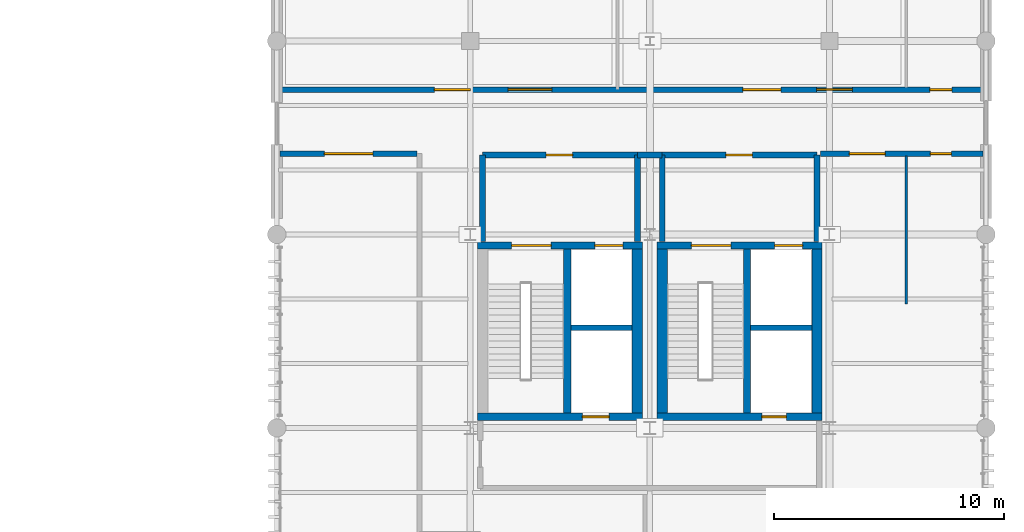
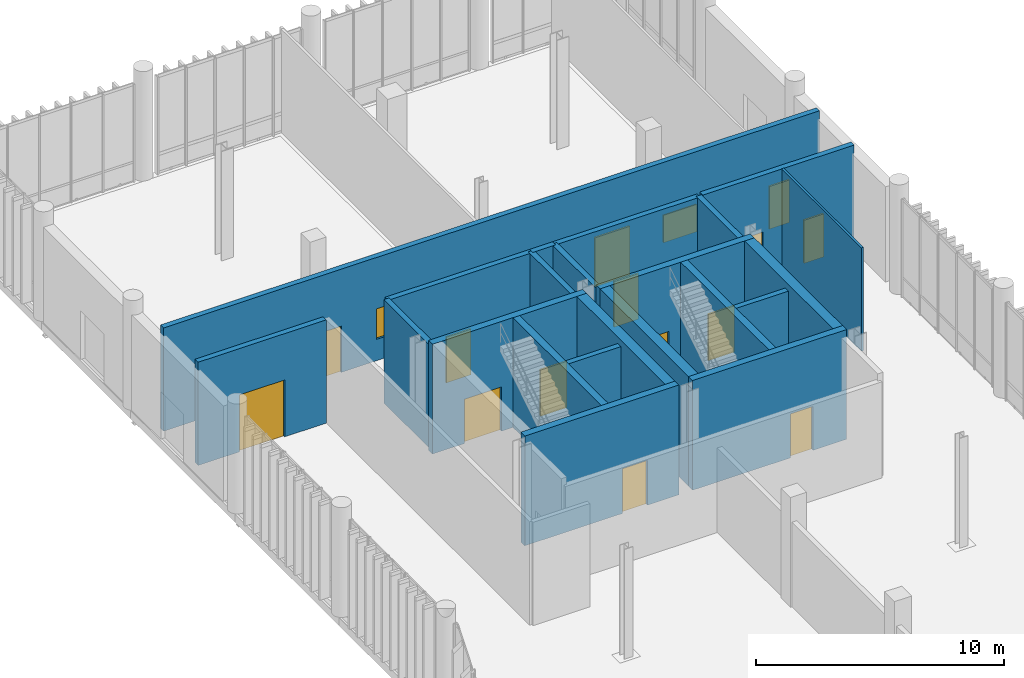
# One storey, part 94 of 112: 22 walls, 14 doors, 2 windows, 16 openings.
"""IFC4 building model written with IfcOpenShell, lengths in metres."""

from ifc_helpers import new_model, si_unit, direction, frame, frame_2d, origin_with_axes, place, context, subcontext, project, spatial, rectangle, extrude, material, layer, layer_set, type_object, element, fill, save


model = new_model("IFC4")

# Units and contexts
model_context = context("Model", 3, precision=1e-05, world=origin_with_axes(), true_north=direction((0.0, 1.0)))
body_context = subcontext(model_context, "Body", "Model", "MODEL_VIEW")
ifc_project = project(units=[si_unit("LENGTHUNIT", "METRE"), si_unit("AREAUNIT", "SQUARE_METRE"), si_unit("VOLUMEUNIT", "CUBIC_METRE"), si_unit("PLANEANGLEUNIT", "RADIAN"), si_unit("MASSUNIT", "GRAM", prefix="KILO"), si_unit("THERMODYNAMICTEMPERATUREUNIT", "KELVIN")], contexts=[model_context])

# Site, building, storey
site_placement = place(None, origin_with_axes())
site = spatial("IfcSite", under=ifc_project, at=site_placement, CompositionType="ELEMENT")
building_placement = place(site_placement, origin_with_axes())
building = spatial("IfcBuilding", under=site, at=building_placement, Name="Montbau Bow Law Courts", CompositionType="ELEMENT")
storey_placement = place(building_placement, origin_with_axes())
storey = spatial("IfcBuildingStorey", under=building, at=storey_placement, Name="L00", CompositionType="ELEMENT", Elevation=0.0)

# Walls
ifc_material_1 = material(Name="Concrete CSA A23.1 f'c 45 MPa", Category="concrete")
ifc_layer_1 = layer(ifc_material_1, 0.45, Name="Shear Wall", Category="concrete")
ifc_layer_set_1 = layer_set([ifc_layer_1], Name="Concrete CSA A23.1 f'c 45 MPa")
wall_type_1 = type_object("IfcWallType", Name="W-COR-02", PredefinedType="SHEAR", material=ifc_layer_set_1)
for number, where, z_axis, x_axis, name in (
    (1, (154.26, 87.04, 0.0), (0.0, 0.0, 1.0), (0.0, 1.0, 0.0), "WC-L00-0273:wal_0340"),
    (2, (162.06, 87.04, 0.0), (0.0, 0.0, 1.0), (0.0, 1.0, 0.0), "WC-L00-0388:wal_0455"),
    (3, (155.34, 94.16, 0.0), (0.0, 0.0, 1.0), (0.0, -1.0, 0.0), "WC-L00-0389:wal_0456"),
):
    element("IfcWall", number, at=place(None, frame(where, z_axis=z_axis, x_axis=x_axis)), inside=storey, type_object=wall_type_1, Name=name, PredefinedType="SHEAR", context=body_context, shape_type="SweptSolid", body=[
        extrude(rectangle(XDim=7.11999999999999, YDim=0.45, at=frame_2d((3.56, 0.0), x_axis=(1.0, 0.0))), origin_with_axes(), (0.0, 0.0, 1.0), 5.4),
    ])

# Wall, opening, door
ifc_layer_2 = layer(ifc_material_1, 0.32, Name="Shear Wall", Category="concrete")
ifc_layer_set_2 = layer_set([ifc_layer_2], Name="Concrete CSA A23.1 f'c 45 MPa")
wall_type_2 = type_object("IfcWallType", Name="W-COR-05", PredefinedType="SHEAR", material=ifc_layer_set_2)
wall_1_placement = place(None, frame((147.315, 86.88, 0.0), z_axis=(0.0, 0.0, 1.0), x_axis=(1.0, 0.0, 0.0)))
wall_1 = element("IfcWall", 4, at=wall_1_placement, inside=storey, type_object=wall_type_2, Name="WC-L00-0271:wal_0338", PredefinedType="SHEAR", context=body_context, shape_type="SweptSolid", body=[
    extrude(rectangle(XDim=7.170000000000016, YDim=0.32, at=frame_2d((3.585, 0.0), x_axis=(1.0, 0.0))), origin_with_axes(), (0.0, 0.0, 1.0), 5.4),
])
opening_1_placement = place(None, frame((152.45, 86.88, 0.0), z_axis=(0.0, 0.0, 1.0), x_axis=(1.0, 0.0, 0.0)))
opening_1 = element("IfcOpeningElement", 5, at=opening_1_placement, cuts=wall_1, Name="OP-LD-L00-EL-P4", PredefinedType="OPENING", context=body_context, shape_type="SweptSolid", body=[
    extrude(rectangle(XDim=1.16, YDim=2.2, at=frame_2d((0.0, 1.1), x_axis=(1.0, 0.0))), frame((0.0, 0.17, 0.0), z_axis=(0.0, -1.0, 0.0), x_axis=(1.0, 0.0, 0.0)), (0.0, 0.0, 1.0), 0.34),
])
ifc_material_2 = material(Name="Brushed Stainless Steel Elevator Landing Door", Category="steel")
door_type_1 = type_object("IfcDoorType", Name="LD-PUB-01", OperationType="NOTDEFINED", ParameterTakesPrecedence=False, PredefinedType="DOOR", material=ifc_material_2)
door_1_placement = place(None, frame((152.45, 86.88, 0.0), z_axis=(0.0, 0.0, 1.0), x_axis=(-1.0, 0.0, 0.0)))
door_1 = element("IfcDoor", 6, at=door_1_placement, inside=storey, type_object=door_type_1, Name="LD-L00-EL-P4:dor_0141", OperationType="SLIDING_TO_LEFT", OverallHeight=2.2, OverallWidth=1.16, PredefinedType="DOOR", context=body_context, shape_type="SweptSolid", body=[
    extrude(rectangle(XDim=1.16, YDim=2.2, at=frame_2d((0.0, 1.1), x_axis=(1.0, 0.0))), frame((0.0, 0.04, 0.0), z_axis=(0.0, -1.0, 0.0), x_axis=(1.0, 0.0, 0.0)), (0.0, 0.0, 1.0), 0.08),
])
fill(opening_1, door_1)

# Wall, openings, doors
wall_2_placement = place(None, frame((154.485, 94.32, 0.0), z_axis=(0.0, 0.0, 1.0), x_axis=(-1.0, 0.0, 0.0)))
wall_2 = element("IfcWall", 7, at=wall_2_placement, inside=storey, type_object=wall_type_2, Name="WC-L00-0272:wal_0339", PredefinedType="SHEAR", context=body_context, shape_type="SweptSolid", body=[
    extrude(rectangle(XDim=7.170000000000016, YDim=0.32, at=frame_2d((3.585, 0.0), x_axis=(1.0, 0.0))), origin_with_axes(), (0.0, 0.0, 1.0), 5.4),
])
opening_2_placement = place(None, frame((149.66, 94.32, 0.0), z_axis=(0.0, 0.0, 1.0), x_axis=(-1.0, 0.0, 0.0)))
opening_2 = element("IfcOpeningElement", 8, at=opening_2_placement, cuts=wall_2, Name="OP-D-L00-ST-P2", PredefinedType="OPENING", context=body_context, shape_type="SweptSolid", body=[
    extrude(rectangle(XDim=1.72, YDim=2.18, at=frame_2d((0.0, 1.09), x_axis=(1.0, 0.0))), frame((0.0, 0.17, 0.0), z_axis=(0.0, -1.0, 0.0), x_axis=(1.0, 0.0, 0.0)), (0.0, 0.0, 1.0), 0.34),
])
opening_3_placement = place(None, frame((153.025, 94.32, 0.0), z_axis=(0.0, 0.0, 1.0), x_axis=(-1.0, 0.0, 0.0)))
opening_3 = element("IfcOpeningElement", 9, at=opening_3_placement, cuts=wall_2, Name="OP-LD-L00-EL-FF1", PredefinedType="OPENING", context=body_context, shape_type="SweptSolid", body=[
    extrude(rectangle(XDim=1.22, YDim=2.28, at=frame_2d((0.0, 1.14), x_axis=(1.0, 0.0))), frame((0.0, 0.17, 0.0), z_axis=(0.0, -1.0, 0.0), x_axis=(1.0, 0.0, 0.0)), (0.0, 0.0, 1.0), 0.34),
])
ifc_material_3 = material(Name="1.5 h Fire-Rated Double Exit Stair Discharge Door", Category="steel")
door_type_2 = type_object("IfcDoorType", Name="D-ST-02", OperationType="NOTDEFINED", ParameterTakesPrecedence=False, PredefinedType="DOOR", material=ifc_material_3)
door_2_placement = place(None, frame((149.66, 94.32, 0.0), z_axis=(0.0, 0.0, 1.0), x_axis=(1.0, 0.0, 0.0)))
door_2 = element("IfcDoor", 10, at=door_2_placement, inside=storey, type_object=door_type_2, Name="D-L00-ST-P2:dor_0139", OperationType="DOUBLE_DOOR_SINGLE_SWING", OverallHeight=2.18, OverallWidth=1.72, PredefinedType="DOOR", context=body_context, shape_type="SweptSolid", body=[
    extrude(rectangle(XDim=1.72, YDim=2.18, at=frame_2d((0.0, 1.09), x_axis=(1.0, 0.0))), frame((0.0, 0.04, 0.0), z_axis=(0.0, -1.0, 0.0), x_axis=(1.0, 0.0, 0.0)), (0.0, 0.0, 1.0), 0.08),
])
fill(opening_2, door_2)
ifc_material_4 = material(Name="CSA B44 Firefighters Elevator Landing Door", Category="steel")
door_type_3 = type_object("IfcDoorType", Name="LD-FFE-01", OperationType="NOTDEFINED", ParameterTakesPrecedence=False, PredefinedType="DOOR", material=ifc_material_4)
door_3_placement = place(None, frame((153.025, 94.32, 0.0), z_axis=(0.0, 0.0, 1.0), x_axis=(1.0, 0.0, 0.0)))
door_3 = element("IfcDoor", 11, at=door_3_placement, inside=storey, type_object=door_type_3, Name="LD-L00-EL-FF1:dor_0140", OperationType="SLIDING_TO_LEFT", OverallHeight=2.28, OverallWidth=1.22, PredefinedType="DOOR", context=body_context, shape_type="SweptSolid", body=[
    extrude(rectangle(XDim=1.22, YDim=2.28, at=frame_2d((0.0, 1.14), x_axis=(1.0, 0.0))), frame((0.0, 0.04, 0.0), z_axis=(0.0, -1.0, 0.0), x_axis=(1.0, 0.0, 0.0)), (0.0, 0.0, 1.0), 0.08),
])
fill(opening_3, door_3)

# Wall
wall_3_placement = place(None, frame((151.22, 87.04, 0.0), z_axis=(0.0, 0.0, 1.0), x_axis=(0.0, 1.0, 0.0)))
element("IfcWall", 12, at=wall_3_placement, inside=storey, type_object=wall_type_2, Name="WS-L00-0275:wal_0342", PredefinedType="SHEAR", context=body_context, shape_type="SweptSolid", body=[
    extrude(rectangle(XDim=7.11999999999999, YDim=0.32, at=frame_2d((3.56, 0.0), x_axis=(1.0, 0.0))), origin_with_axes(), (0.0, 0.0, 1.0), 5.4),
])

# Wall, opening, door
wall_4_placement = place(None, frame((155.115, 86.88, 0.0), z_axis=(0.0, 0.0, 1.0), x_axis=(1.0, 0.0, 0.0)))
wall_4 = element("IfcWall", 13, at=wall_4_placement, inside=storey, type_object=wall_type_2, Name="WC-L00-0386:wal_0453", PredefinedType="SHEAR", context=body_context, shape_type="SweptSolid", body=[
    extrude(rectangle(XDim=7.1699999999999875, YDim=0.32, at=frame_2d((3.585, 0.0), x_axis=(1.0, 0.0))), origin_with_axes(), (0.0, 0.0, 1.0), 5.4),
])
opening_4_placement = place(None, frame((160.2, 86.88, 0.0), z_axis=(0.0, 0.0, 1.0), x_axis=(1.0, 0.0, 0.0)))
opening_4 = element("IfcOpeningElement", 14, at=opening_4_placement, cuts=wall_4, Name="OP-LD-L00-EL-J2", PredefinedType="OPENING", context=body_context, shape_type="SweptSolid", body=[
    extrude(rectangle(XDim=1.06, YDim=2.16, at=frame_2d((0.0, 1.08), x_axis=(1.0, 0.0))), frame((0.0, 0.17, 0.0), z_axis=(0.0, -1.0, 0.0), x_axis=(1.0, 0.0, 0.0)), (0.0, 0.0, 1.0), 0.34),
])
ifc_material_5 = material(Name="Bronze-Clad Judicial Elevator Landing Door", Category="steel")
door_type_4 = type_object("IfcDoorType", Name="LD-JUD-01", OperationType="NOTDEFINED", ParameterTakesPrecedence=False, PredefinedType="DOOR", material=ifc_material_5)
door_4_placement = place(None, frame((160.2, 86.88, 0.0), z_axis=(0.0, 0.0, 1.0), x_axis=(-1.0, 0.0, 0.0)))
door_4 = element("IfcDoor", 15, at=door_4_placement, inside=storey, type_object=door_type_4, Name="LD-L00-EL-J2:dor_0183", OperationType="SLIDING_TO_LEFT", OverallHeight=2.16, OverallWidth=1.06, PredefinedType="DOOR", context=body_context, shape_type="SweptSolid", body=[
    extrude(rectangle(XDim=1.06, YDim=2.16, at=frame_2d((0.0, 1.08), x_axis=(1.0, 0.0))), frame((0.0, 0.04, 0.0), z_axis=(0.0, -1.0, 0.0), x_axis=(1.0, 0.0, 0.0)), (0.0, 0.0, 1.0), 0.08),
])
fill(opening_4, door_4)

# Wall, openings, doors
wall_5_placement = place(None, frame((162.285, 94.32, 0.0), z_axis=(0.0, 0.0, 1.0), x_axis=(-1.0, 0.0, 0.0)))
wall_5 = element("IfcWall", 16, at=wall_5_placement, inside=storey, type_object=wall_type_2, Name="WC-L00-0387:wal_0454", PredefinedType="SHEAR", context=body_context, shape_type="SweptSolid", body=[
    extrude(rectangle(XDim=7.1699999999999875, YDim=0.32, at=frame_2d((3.585, 0.0), x_axis=(1.0, 0.0))), origin_with_axes(), (0.0, 0.0, 1.0), 5.4),
])
opening_5_placement = place(None, frame((157.46, 94.32, 0.0), z_axis=(0.0, 0.0, 1.0), x_axis=(-1.0, 0.0, 0.0)))
opening_5 = element("IfcOpeningElement", 17, at=opening_5_placement, cuts=wall_5, Name="OP-D-L00-ST-J2", PredefinedType="OPENING", context=body_context, shape_type="SweptSolid", body=[
    extrude(rectangle(XDim=1.72, YDim=2.18, at=frame_2d((0.0, 1.09), x_axis=(1.0, 0.0))), frame((0.0, 0.17, 0.0), z_axis=(0.0, -1.0, 0.0), x_axis=(1.0, 0.0, 0.0)), (0.0, 0.0, 1.0), 0.34),
])
opening_6_placement = place(None, frame((160.825, 94.32, 0.0), z_axis=(0.0, 0.0, 1.0), x_axis=(-1.0, 0.0, 0.0)))
opening_6 = element("IfcOpeningElement", 18, at=opening_6_placement, cuts=wall_5, Name="OP-LD-L00-EL-FF2", PredefinedType="OPENING", context=body_context, shape_type="SweptSolid", body=[
    extrude(rectangle(XDim=1.22, YDim=2.28, at=frame_2d((0.0, 1.14), x_axis=(1.0, 0.0))), frame((0.0, 0.17, 0.0), z_axis=(0.0, -1.0, 0.0), x_axis=(1.0, 0.0, 0.0)), (0.0, 0.0, 1.0), 0.34),
])
door_5_placement = place(None, frame((157.46, 94.32, 0.0), z_axis=(0.0, 0.0, 1.0), x_axis=(1.0, 0.0, 0.0)))
door_5 = element("IfcDoor", 19, at=door_5_placement, inside=storey, type_object=door_type_2, Name="D-L00-ST-J2:dor_0181", OperationType="DOUBLE_DOOR_SINGLE_SWING", OverallHeight=2.18, OverallWidth=1.72, PredefinedType="DOOR", context=body_context, shape_type="SweptSolid", body=[
    extrude(rectangle(XDim=1.72, YDim=2.18, at=frame_2d((0.0, 1.09), x_axis=(1.0, 0.0))), frame((0.0, 0.04, 0.0), z_axis=(0.0, -1.0, 0.0), x_axis=(1.0, 0.0, 0.0)), (0.0, 0.0, 1.0), 0.08),
])
fill(opening_5, door_5)
door_6_placement = place(None, frame((160.825, 94.32, 0.0), z_axis=(0.0, 0.0, 1.0), x_axis=(1.0, 0.0, 0.0)))
door_6 = element("IfcDoor", 20, at=door_6_placement, inside=storey, type_object=door_type_3, Name="LD-L00-EL-FF2:dor_0182", OperationType="SLIDING_TO_LEFT", OverallHeight=2.28, OverallWidth=1.22, PredefinedType="DOOR", context=body_context, shape_type="SweptSolid", body=[
    extrude(rectangle(XDim=1.22, YDim=2.28, at=frame_2d((0.0, 1.14), x_axis=(1.0, 0.0))), frame((0.0, 0.04, 0.0), z_axis=(0.0, -1.0, 0.0), x_axis=(1.0, 0.0, 0.0)), (0.0, 0.0, 1.0), 0.08),
])
fill(opening_6, door_6)

# Walls
wall_6_placement = place(None, frame((159.02, 87.04, 0.0), z_axis=(0.0, 0.0, 1.0), x_axis=(0.0, 1.0, 0.0)))
element("IfcWall", 21, at=wall_6_placement, inside=storey, type_object=wall_type_2, Name="WS-L00-0390:wal_0457", PredefinedType="SHEAR", context=body_context, shape_type="SweptSolid", body=[
    extrude(rectangle(XDim=7.11999999999999, YDim=0.32, at=frame_2d((3.56, 0.0), x_axis=(1.0, 0.0))), origin_with_axes(), (0.0, 0.0, 1.0), 5.4),
])
ifc_material_6 = material(Name="2 h Shaft and Exit-Passage Fire Separation Partition", Category="gypsum")
ifc_layer_3 = layer(ifc_material_6, 0.25, Name="Partition", Category="gypsum")
ifc_layer_set_3 = layer_set([ifc_layer_3], Name="2 h Shaft and Exit-Passage Fire Separation Partition")
wall_type_3 = type_object("IfcWallType", Name="W-PRT-01", PredefinedType="PARTITIONING", material=ifc_layer_set_3)
wall_7_placement = place(None, frame((151.38, 90.749, 0.0), z_axis=(0.0, 0.0, 1.0), x_axis=(1.0, 0.0, 0.0)))
element("IfcWall", 22, at=wall_7_placement, inside=storey, type_object=wall_type_3, Name="WS-L00-0276:wal_0343", PredefinedType="PARTITIONING", context=body_context, shape_type="SweptSolid", body=[
    extrude(rectangle(XDim=2.655000000000001, YDim=0.25, at=frame_2d((1.3275, 0.0), x_axis=(1.0, 0.0))), origin_with_axes(), (0.0, 0.0, 1.0), 5.08),
])

# Wall, opening, door
wall_8_placement = place(None, frame((154.26, 98.25, 0.0), z_axis=(0.0, 0.0, 1.0), x_axis=(-1.0, 0.0, 0.0)))
wall_8 = element("IfcWall", 23, at=wall_8_placement, inside=storey, type_object=wall_type_3, Name="WFF-L00-0277:wal_0344", PredefinedType="PARTITIONING", context=body_context, shape_type="SweptSolid", body=[
    extrude(rectangle(XDim=6.719999999999999, YDim=0.25, at=frame_2d((3.36, 0.0), x_axis=(1.0, 0.0))), origin_with_axes(), (0.0, 0.0, 1.0), 5.08),
])
opening_7_placement = place(None, frame((150.875, 98.25, 0.0), z_axis=(0.0, 0.0, 1.0), x_axis=(-1.0, 0.0, 0.0)))
opening_7 = element("IfcOpeningElement", 24, at=opening_7_placement, cuts=wall_8, Name="OP-D-L00-FFL5", PredefinedType="OPENING", context=body_context, shape_type="SweptSolid", body=[
    extrude(rectangle(XDim=1.15, YDim=2.25, at=frame_2d((0.0, 1.125), x_axis=(1.0, 0.0))), frame((0.0, 0.135, 0.0), z_axis=(0.0, -1.0, 0.0), x_axis=(1.0, 0.0, 0.0)), (0.0, 0.0, 1.0), 0.27),
])
ifc_material_7 = material(Name="1.5 h Smoke-Sealed Firefighters Lobby Door", Category="steel")
door_type_5 = type_object("IfcDoorType", Name="D-FFL-01", OperationType="NOTDEFINED", ParameterTakesPrecedence=False, PredefinedType="DOOR", material=ifc_material_7)
door_7_placement = place(None, frame((150.875, 98.25, 0.0), z_axis=(0.0, 0.0, 1.0), x_axis=(1.0, 0.0, 0.0)))
door_7 = element("IfcDoor", 25, at=door_7_placement, inside=storey, type_object=door_type_5, Name="D-L00-FFL5:dor_0142", OperationType="SINGLE_SWING_LEFT", OverallHeight=2.25, OverallWidth=1.15, PredefinedType="DOOR", context=body_context, shape_type="SweptSolid", body=[
    extrude(rectangle(XDim=1.15, YDim=2.25, at=frame_2d((0.0, 1.125), x_axis=(1.0, 0.0))), frame((0.0, 0.04, 0.0), z_axis=(0.0, -1.0, 0.0), x_axis=(1.0, 0.0, 0.0)), (0.0, 0.0, 1.0), 0.08),
])
fill(opening_7, door_7)

# Walls
for number, where, z_axis, x_axis, name in (
    (26, (147.54, 94.5, 0.0), (0.0, 0.0, 1.0), (0.0, 1.0, 0.0), "WFF-L00-0278:wal_0345"),
    (27, (154.26, 94.5, 0.0), (0.0, 0.0, 1.0), (0.0, 1.0, 0.0), "WFF-L00-0279:wal_0346"),
):
    element("IfcWall", number, at=place(None, frame(where, z_axis=z_axis, x_axis=x_axis)), inside=storey, type_object=wall_type_3, Name=name, PredefinedType="PARTITIONING", context=body_context, shape_type="SweptSolid", body=[
        extrude(rectangle(XDim=3.75, YDim=0.25, at=frame_2d((1.875, 0.0), x_axis=(1.0, 0.0))), origin_with_axes(), (0.0, 0.0, 1.0), 5.08),
    ])
wall_9_placement = place(None, frame((159.18, 90.749, 0.0), z_axis=(0.0, 0.0, 1.0), x_axis=(1.0, 0.0, 0.0)))
element("IfcWall", 28, at=wall_9_placement, inside=storey, type_object=wall_type_3, Name="WS-L00-0391:wal_0458", PredefinedType="PARTITIONING", context=body_context, shape_type="SweptSolid", body=[
    extrude(rectangle(XDim=2.655000000000001, YDim=0.25, at=frame_2d((1.3275, 0.0), x_axis=(1.0, 0.0))), origin_with_axes(), (0.0, 0.0, 1.0), 5.08),
])

# Wall, opening, door
wall_10_placement = place(None, frame((162.06, 98.25, 0.0), z_axis=(0.0, 0.0, 1.0), x_axis=(-1.0, 0.0, 0.0)))
wall_10 = element("IfcWall", 29, at=wall_10_placement, inside=storey, type_object=wall_type_3, Name="WFF-L00-0392:wal_0459", PredefinedType="PARTITIONING", context=body_context, shape_type="SweptSolid", body=[
    extrude(rectangle(XDim=6.719999999999999, YDim=0.25, at=frame_2d((3.36, 0.0), x_axis=(1.0, 0.0))), origin_with_axes(), (0.0, 0.0, 1.0), 5.08),
])
opening_8_placement = place(None, frame((158.675, 98.25, 0.0), z_axis=(0.0, 0.0, 1.0), x_axis=(-1.0, 0.0, 0.0)))
opening_8 = element("IfcOpeningElement", 30, at=opening_8_placement, cuts=wall_10, Name="OP-D-L00-FFL6", PredefinedType="OPENING", context=body_context, shape_type="SweptSolid", body=[
    extrude(rectangle(XDim=1.15, YDim=2.25, at=frame_2d((0.0, 1.125), x_axis=(1.0, 0.0))), frame((0.0, 0.135, 0.0), z_axis=(0.0, -1.0, 0.0), x_axis=(1.0, 0.0, 0.0)), (0.0, 0.0, 1.0), 0.27),
])
door_8_placement = place(None, frame((158.675, 98.25, 0.0), z_axis=(0.0, 0.0, 1.0), x_axis=(1.0, 0.0, 0.0)))
door_8 = element("IfcDoor", 31, at=door_8_placement, inside=storey, type_object=door_type_5, Name="D-L00-FFL6:dor_0184", OperationType="SINGLE_SWING_LEFT", OverallHeight=2.25, OverallWidth=1.15, PredefinedType="DOOR", context=body_context, shape_type="SweptSolid", body=[
    extrude(rectangle(XDim=1.15, YDim=2.25, at=frame_2d((0.0, 1.125), x_axis=(1.0, 0.0))), frame((0.0, 0.04, 0.0), z_axis=(0.0, -1.0, 0.0), x_axis=(1.0, 0.0, 0.0)), (0.0, 0.0, 1.0), 0.08),
])
fill(opening_8, door_8)

# Walls
for number, where, z_axis, x_axis, name in (
    (32, (155.34, 94.5, 0.0), (0.0, 0.0, 1.0), (0.0, 1.0, 0.0), "WFF-L00-0393:wal_0460"),
    (33, (162.06, 94.5, 0.0), (0.0, 0.0, 1.0), (0.0, 1.0, 0.0), "WFF-L00-0394:wal_0461"),
):
    element("IfcWall", number, at=place(None, frame(where, z_axis=z_axis, x_axis=x_axis)), inside=storey, type_object=wall_type_3, Name=name, PredefinedType="PARTITIONING", context=body_context, shape_type="SweptSolid", body=[
        extrude(rectangle(XDim=3.75, YDim=0.25, at=frame_2d((1.875, 0.0), x_axis=(1.0, 0.0))), origin_with_axes(), (0.0, 0.0, 1.0), 5.08),
    ])
wall_11_placement = place(None, frame((154.26, 98.25, 0.0), z_axis=(0.0, 0.0, 1.0), x_axis=(1.0, 0.0, 0.0)))
element("IfcWall", 34, at=wall_11_placement, inside=storey, type_object=wall_type_3, Name="WFF-L00-0544:wal_0611", PredefinedType="PARTITIONING", context=body_context, shape_type="SweptSolid", body=[
    extrude(rectangle(XDim=1.0800000000000125, YDim=0.25, at=frame_2d((0.54, 0.0), x_axis=(1.0, 0.0))), origin_with_axes(), (0.0, 0.0, 1.0), 5.08),
])

# Wall, openings, doors, windows
wall_12_placement = place(None, frame((138.74, 101.09, 0.0), z_axis=(0.0, 0.0, 1.0), x_axis=(1.0, 0.0, 0.0)))
wall_12 = element("IfcWall", 35, at=wall_12_placement, inside=storey, type_object=wall_type_3, Name="WP-L00-0652:wal_0719", PredefinedType="PARTITIONING", context=body_context, shape_type="SweptSolid", body=[
    extrude(rectangle(XDim=30.519999999999982, YDim=0.25, at=frame_2d((15.26, 0.0), x_axis=(1.0, 0.0))), origin_with_axes(), (0.0, 0.0, 1.0), 5.08),
])
opening_9_placement = place(None, frame((146.228, 101.09, 0.0), z_axis=(0.0, 0.0, 1.0), x_axis=(1.0, 0.0, 0.0)))
opening_9 = element("IfcOpeningElement", 36, at=opening_9_placement, cuts=wall_12, Name="OP-D-L00-253", PredefinedType="OPENING", context=body_context, shape_type="SweptSolid", body=[
    extrude(rectangle(XDim=1.56, YDim=2.28, at=frame_2d((0.0, 1.14), x_axis=(1.0, 0.0))), frame((0.0, 0.135, 0.0), z_axis=(0.0, -1.0, 0.0), x_axis=(1.0, 0.0, 0.0)), (0.0, 0.0, 1.0), 0.27),
])
opening_10_placement = place(None, frame((159.666, 101.09, 0.0), z_axis=(0.0, 0.0, 1.0), x_axis=(1.0, 0.0, 0.0)))
opening_10 = element("IfcOpeningElement", 37, at=opening_10_placement, cuts=wall_12, Name="OP-D-L00-254", PredefinedType="OPENING", context=body_context, shape_type="SweptSolid", body=[
    extrude(rectangle(XDim=1.64, YDim=2.42, at=frame_2d((0.0, 1.21), x_axis=(1.0, 0.0))), frame((0.0, 0.135, 0.0), z_axis=(0.0, -1.0, 0.0), x_axis=(1.0, 0.0, 0.0)), (0.0, 0.0, 1.0), 0.27),
])
opening_11_placement = place(None, frame((167.438, 101.09, 0.0), z_axis=(0.0, 0.0, 1.0), x_axis=(1.0, 0.0, 0.0)))
opening_11 = element("IfcOpeningElement", 38, at=opening_11_placement, cuts=wall_12, Name="OP-D-L00-255", PredefinedType="OPENING", context=body_context, shape_type="SweptSolid", body=[
    extrude(rectangle(XDim=0.95, YDim=2.1, at=frame_2d((0.0, 1.05), x_axis=(1.0, 0.0))), frame((0.0, 0.135, 0.0), z_axis=(0.0, -1.0, 0.0), x_axis=(1.0, 0.0, 0.0)), (0.0, 0.0, 1.0), 0.27),
])
opening_12_placement = place(None, frame((149.598, 101.09, 1.05), z_axis=(0.0, 0.0, 1.0), x_axis=(1.0, 0.0, 0.0)))
opening_12 = element("IfcOpeningElement", 39, at=opening_12_placement, cuts=wall_12, Name="OP-WI-L00-07", PredefinedType="OPENING", context=body_context, shape_type="SweptSolid", body=[
    extrude(rectangle(XDim=1.9, YDim=1.5, at=frame_2d((0.0, 0.75), x_axis=(1.0, 0.0))), frame((0.0, 0.135, 0.0), z_axis=(0.0, -1.0, 0.0), x_axis=(1.0, 0.0, 0.0)), (0.0, 0.0, 1.0), 0.27),
])
opening_13_placement = place(None, frame((162.821, 101.09, 1.05), z_axis=(0.0, 0.0, 1.0), x_axis=(1.0, 0.0, 0.0)))
opening_13 = element("IfcOpeningElement", 40, at=opening_13_placement, cuts=wall_12, Name="OP-WI-L00-08", PredefinedType="OPENING", context=body_context, shape_type="SweptSolid", body=[
    extrude(rectangle(XDim=1.55, YDim=1.35, at=frame_2d((0.0, 0.675), x_axis=(1.0, 0.0))), frame((0.0, 0.135, 0.0), z_axis=(0.0, -1.0, 0.0), x_axis=(1.0, 0.0, 0.0)), (0.0, 0.0, 1.0), 0.27),
])
ifc_material_8 = material(Name="Acoustic White-Oak Civil and Family Hearing Double Door", Category="wood")
door_type_6 = type_object("IfcDoorType", Name="D-CRT-04", OperationType="NOTDEFINED", ParameterTakesPrecedence=False, PredefinedType="DOOR", material=ifc_material_8)
door_9_placement = place(None, frame((159.666, 101.09, 0.0), z_axis=(0.0, 0.0, 1.0), x_axis=(-1.0, 0.0, 0.0)))
door_9 = element("IfcDoor", 41, at=door_9_placement, inside=storey, type_object=door_type_6, Name="D-L00-254:dor_0289", OperationType="DOUBLE_DOOR_SINGLE_SWING", OverallHeight=2.42, OverallWidth=1.64, PredefinedType="DOOR", context=body_context, shape_type="SweptSolid", body=[
    extrude(rectangle(XDim=1.64, YDim=2.42, at=frame_2d((0.0, 1.21), x_axis=(1.0, 0.0))), frame((0.0, 0.04, 0.0), z_axis=(0.0, -1.0, 0.0), x_axis=(1.0, 0.0, 0.0)), (0.0, 0.0, 1.0), 0.08),
])
fill(opening_10, door_9)
ifc_material_9 = material(Name="Case Registry Counter Suite Double Door", Category="wood")
door_type_7 = type_object("IfcDoorType", Name="D-REG-01", OperationType="NOTDEFINED", ParameterTakesPrecedence=False, PredefinedType="DOOR", material=ifc_material_9)
door_10_placement = place(None, frame((146.228, 101.09, 0.0), z_axis=(0.0, 0.0, 1.0), x_axis=(-1.0, 0.0, 0.0)))
door_10 = element("IfcDoor", 42, at=door_10_placement, inside=storey, type_object=door_type_7, Name="D-L00-253:dor_0288", OperationType="DOUBLE_DOOR_SINGLE_SWING", OverallHeight=2.28, OverallWidth=1.56, PredefinedType="DOOR", context=body_context, shape_type="SweptSolid", body=[
    extrude(rectangle(XDim=1.56, YDim=2.28, at=frame_2d((0.0, 1.14), x_axis=(1.0, 0.0))), frame((0.0, 0.04, 0.0), z_axis=(0.0, -1.0, 0.0), x_axis=(1.0, 0.0, 0.0)), (0.0, 0.0, 1.0), 0.08),
])
fill(opening_9, door_10)
ifc_material_10 = material(Name="CSA B651 Universal Barrier-Free Washroom Door", Category="wood")
door_type_8 = type_object("IfcDoorType", Name="D-WC-01", OperationType="NOTDEFINED", ParameterTakesPrecedence=False, PredefinedType="DOOR", material=ifc_material_10)
door_11_placement = place(None, frame((167.438, 101.09, 0.0), z_axis=(0.0, 0.0, 1.0), x_axis=(-1.0, 0.0, 0.0)))
door_11 = element("IfcDoor", 43, at=door_11_placement, inside=storey, type_object=door_type_8, Name="D-L00-255:dor_0290", OperationType="SINGLE_SWING_LEFT", OverallHeight=2.1, OverallWidth=0.95, PredefinedType="DOOR", context=body_context, shape_type="SweptSolid", body=[
    extrude(rectangle(XDim=0.95, YDim=2.1, at=frame_2d((0.0, 1.05), x_axis=(1.0, 0.0))), frame((0.0, 0.04, 0.0), z_axis=(0.0, -1.0, 0.0), x_axis=(1.0, 0.0, 0.0)), (0.0, 0.0, 1.0), 0.08),
])
fill(opening_11, door_11)
ifc_material_11 = material(Name="Fire-Rated Acoustic Borrowed-Light Interior Glazing", Category="glass")
window_type_1 = type_object("IfcWindowType", Name="WN-INT-01", ParameterTakesPrecedence=False, PartitioningType="SINGLE_PANEL", PredefinedType="WINDOW", material=ifc_material_11)
window_1_placement = place(None, frame((149.598, 101.09, 1.05), z_axis=(0.0, 0.0, 1.0), x_axis=(1.0, 0.0, 0.0)))
window_1 = element("IfcWindow", 44, at=window_1_placement, inside=storey, type_object=window_type_1, Name="WI-L00-07:win_0129", OverallHeight=1.5, OverallWidth=1.9, PartitioningType="SINGLE_PANEL", PredefinedType="WINDOW", context=body_context, shape_type="SweptSolid", body=[
    extrude(rectangle(XDim=1.9, YDim=1.5, at=frame_2d((0.0, 0.75), x_axis=(1.0, 0.0))), frame((0.0, 0.03, 0.0), z_axis=(0.0, -1.0, 0.0), x_axis=(1.0, 0.0, 0.0)), (0.0, 0.0, 1.0), 0.06),
])
fill(opening_12, window_1)
ifc_material_12 = material(Name="Registry Counter Security Pass-Through Glazing", Category="glass")
window_type_2 = type_object("IfcWindowType", Name="WN-INT-02", ParameterTakesPrecedence=False, PartitioningType="SINGLE_PANEL", PredefinedType="WINDOW", material=ifc_material_12)
window_2_placement = place(None, frame((162.821, 101.09, 1.05), z_axis=(0.0, 0.0, 1.0), x_axis=(1.0, 0.0, 0.0)))
window_2 = element("IfcWindow", 45, at=window_2_placement, inside=storey, type_object=window_type_2, Name="WI-L00-08:win_0130", OverallHeight=1.35, OverallWidth=1.55, PartitioningType="SINGLE_PANEL", PredefinedType="WINDOW", context=body_context, shape_type="SweptSolid", body=[
    extrude(rectangle(XDim=1.55, YDim=1.35, at=frame_2d((0.0, 0.675), x_axis=(1.0, 0.0))), frame((0.0, 0.03, 0.0), z_axis=(0.0, -1.0, 0.0), x_axis=(1.0, 0.0, 0.0)), (0.0, 0.0, 1.0), 0.06),
])
fill(opening_13, window_2)

# Wall, opening, door
wall_13_placement = place(None, frame((138.74, 98.31, 0.0), z_axis=(0.0, 0.0, 1.0), x_axis=(1.0, 0.0, 0.0)))
wall_13 = element("IfcWall", 46, at=wall_13_placement, inside=storey, type_object=wall_type_3, Name="WP-L00-0653:wal_0720", PredefinedType="PARTITIONING", context=body_context, shape_type="SweptSolid", body=[
    extrude(rectangle(XDim=5.9599999999999795, YDim=0.25, at=frame_2d((2.98, 0.0), x_axis=(1.0, 0.0))), origin_with_axes(), (0.0, 0.0, 1.0), 5.08),
])
opening_14_placement = place(None, frame((141.72, 98.31, 0.0), z_axis=(0.0, 0.0, 1.0), x_axis=(1.0, 0.0, 0.0)))
opening_14 = element("IfcOpeningElement", 47, at=opening_14_placement, cuts=wall_13, Name="OP-D-L00-256", PredefinedType="OPENING", context=body_context, shape_type="SweptSolid", body=[
    extrude(rectangle(XDim=2.1, YDim=2.8, at=frame_2d((0.0, 1.4), x_axis=(1.0, 0.0))), frame((0.0, 0.135, 0.0), z_axis=(0.0, -1.0, 0.0), x_axis=(1.0, 0.0, 0.0)), (0.0, 0.0, 1.0), 0.27),
])
ifc_material_13 = material(Name="Monumental Acoustic White-Oak Ceremonial Courtroom Double Door", Category="wood")
door_type_9 = type_object("IfcDoorType", Name="D-CRT-01", OperationType="NOTDEFINED", ParameterTakesPrecedence=False, PredefinedType="DOOR", material=ifc_material_13)
door_12_placement = place(None, frame((141.72, 98.31, 0.0), z_axis=(0.0, 0.0, 1.0), x_axis=(1.0, 0.0, 0.0)))
door_12 = element("IfcDoor", 48, at=door_12_placement, inside=storey, type_object=door_type_9, Name="D-L00-256:dor_0291", OperationType="DOUBLE_DOOR_SINGLE_SWING", OverallHeight=2.8, OverallWidth=2.1, PredefinedType="DOOR", context=body_context, shape_type="SweptSolid", body=[
    extrude(rectangle(XDim=2.1, YDim=2.8, at=frame_2d((0.0, 1.4), x_axis=(1.0, 0.0))), frame((0.0, 0.04, 0.0), z_axis=(0.0, -1.0, 0.0), x_axis=(1.0, 0.0, 0.0)), (0.0, 0.0, 1.0), 0.08),
])
fill(opening_14, door_12)

# Wall, openings, doors
wall_14_placement = place(None, frame((162.22, 98.31, 0.0), z_axis=(0.0, 0.0, 1.0), x_axis=(1.0, 0.0, 0.0)))
wall_14 = element("IfcWall", 49, at=wall_14_placement, inside=storey, type_object=wall_type_3, Name="WP-L00-0654:wal_0721", PredefinedType="PARTITIONING", context=body_context, shape_type="SweptSolid", body=[
    extrude(rectangle(XDim=7.039999999999992, YDim=0.25, at=frame_2d((3.52, 0.0), x_axis=(1.0, 0.0))), origin_with_axes(), (0.0, 0.0, 1.0), 5.08),
])
opening_15_placement = place(None, frame((164.242, 98.31, 0.0), z_axis=(0.0, 0.0, 1.0), x_axis=(1.0, 0.0, 0.0)))
opening_15 = element("IfcOpeningElement", 50, at=opening_15_placement, cuts=wall_14, Name="OP-D-L00-257", PredefinedType="OPENING", context=body_context, shape_type="SweptSolid", body=[
    extrude(rectangle(XDim=1.56, YDim=2.28, at=frame_2d((0.0, 1.14), x_axis=(1.0, 0.0))), frame((0.0, 0.135, 0.0), z_axis=(0.0, -1.0, 0.0), x_axis=(1.0, 0.0, 0.0)), (0.0, 0.0, 1.0), 0.27),
])
opening_16_placement = place(None, frame((167.438, 98.31, 0.0), z_axis=(0.0, 0.0, 1.0), x_axis=(1.0, 0.0, 0.0)))
opening_16 = element("IfcOpeningElement", 51, at=opening_16_placement, cuts=wall_14, Name="OP-D-L00-258", PredefinedType="OPENING", context=body_context, shape_type="SweptSolid", body=[
    extrude(rectangle(XDim=0.91, YDim=2.12, at=frame_2d((0.0, 1.06), x_axis=(1.0, 0.0))), frame((0.0, 0.135, 0.0), z_axis=(0.0, -1.0, 0.0), x_axis=(1.0, 0.0, 0.0)), (0.0, 0.0, 1.0), 0.27),
])
door_13_placement = place(None, frame((164.242, 98.31, 0.0), z_axis=(0.0, 0.0, 1.0), x_axis=(1.0, 0.0, 0.0)))
door_13 = element("IfcDoor", 52, at=door_13_placement, inside=storey, type_object=door_type_7, Name="D-L00-257:dor_0292", OperationType="DOUBLE_DOOR_SINGLE_SWING", OverallHeight=2.28, OverallWidth=1.56, PredefinedType="DOOR", context=body_context, shape_type="SweptSolid", body=[
    extrude(rectangle(XDim=1.56, YDim=2.28, at=frame_2d((0.0, 1.14), x_axis=(1.0, 0.0))), frame((0.0, 0.04, 0.0), z_axis=(0.0, -1.0, 0.0), x_axis=(1.0, 0.0, 0.0)), (0.0, 0.0, 1.0), 0.08),
])
fill(opening_15, door_13)
ifc_material_14 = material(Name="Public and Judicial Washroom Solid-Core Door", Category="wood")
door_type_10 = type_object("IfcDoorType", Name="D-WC-02", OperationType="NOTDEFINED", ParameterTakesPrecedence=False, PredefinedType="DOOR", material=ifc_material_14)
door_14_placement = place(None, frame((167.438, 98.31, 0.0), z_axis=(0.0, 0.0, 1.0), x_axis=(1.0, 0.0, 0.0)))
door_14 = element("IfcDoor", 53, at=door_14_placement, inside=storey, type_object=door_type_10, Name="D-L00-258:dor_0293", OperationType="SINGLE_SWING_RIGHT", OverallHeight=2.12, OverallWidth=0.91, PredefinedType="DOOR", context=body_context, shape_type="SweptSolid", body=[
    extrude(rectangle(XDim=0.91, YDim=2.12, at=frame_2d((0.0, 1.06), x_axis=(1.0, 0.0))), frame((0.0, 0.04, 0.0), z_axis=(0.0, -1.0, 0.0), x_axis=(1.0, 0.0, 0.0)), (0.0, 0.0, 1.0), 0.08),
])
fill(opening_16, door_14)

# Wall
ifc_material_15 = material(Name="Washroom Vestibule Furring Partition", Category="gypsum")
ifc_layer_4 = layer(ifc_material_15, 0.1, Name="Partition", Category="gypsum")
ifc_layer_set_4 = layer_set([ifc_layer_4], Name="Washroom Vestibule Furring Partition")
wall_type_4 = type_object("IfcWallType", Name="W-PRT-08", PredefinedType="PARTITIONING", material=ifc_layer_set_4)
wall_15_placement = place(None, frame((165.94, 91.78, 0.0), z_axis=(0.0, 0.0, 1.0), x_axis=(0.0, 1.0, 0.0)))
element("IfcWall", 54, at=wall_15_placement, inside=storey, type_object=wall_type_4, Name="WD-L00-0656:wal_0723", PredefinedType="PARTITIONING", context=body_context, shape_type="SweptSolid", body=[
    extrude(rectangle(XDim=6.429999999999993, YDim=0.1, at=frame_2d((3.215, 0.0), x_axis=(1.0, 0.0))), origin_with_axes(), (0.0, 0.0, 1.0), 5.08),
])

save(model, "model.ifc")
